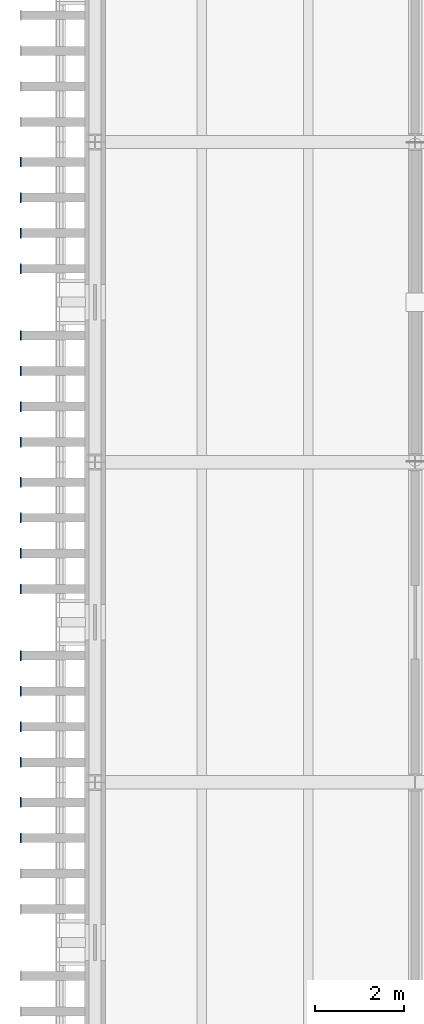
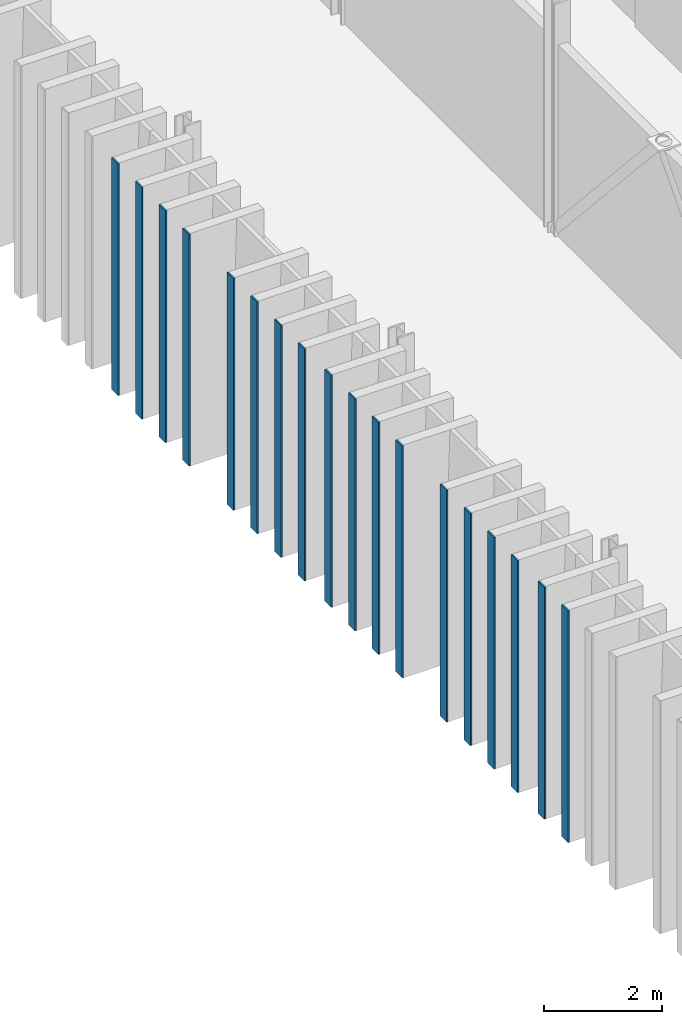
# One storey, part 57 of 121: 18 plates.
"""IFC4 building model written with IfcOpenShell, lengths in metres."""

from ifc_helpers import new_model, si_unit, direction, frame, origin, origin_2d, place, context, subcontext, project, spatial, rectangle, extrude, material, layer, layer_set, type_object, element, save


model = new_model("IFC4")

# Units and contexts
model_context = context("Model", 3, precision=1e-05, world=origin(), true_north=direction((0.0, 1.0)))
body_context = subcontext(model_context, "Body", "Model", "MODEL_VIEW")
ifc_project = project(units=[si_unit("LENGTHUNIT", "METRE"), si_unit("AREAUNIT", "SQUARE_METRE"), si_unit("VOLUMEUNIT", "CUBIC_METRE"), si_unit("PLANEANGLEUNIT", "RADIAN"), si_unit("MASSUNIT", "GRAM", prefix="KILO")], contexts=[model_context])

# Site, building, storey
site_placement = place(None, origin())
site = spatial("IfcSite", under=ifc_project, at=site_placement, CompositionType="ELEMENT")
building_placement = place(site_placement, origin())
building = spatial("IfcBuilding", under=site, at=building_placement, Name="Narikvali Park Central Library", CompositionType="ELEMENT")
storey_placement = place(building_placement, frame((0.0, 0.0, 5.39990234375)))
storey = spatial("IfcBuildingStorey", under=building, at=storey_placement, Name="L01", CompositionType="ELEMENT", Elevation=5.39990234375)

# Plates
ifc_material = material(Name="Anodised Bronze Aluminium", Category="aluminium")
ifc_layer = layer(ifc_material, 0.028076171875, Name="Anodised Bronze Aluminium")
ifc_layer_set = layer_set([ifc_layer], Name="Anodised Bronze Aluminium")
plate_type = type_object("IfcPlateType", Name="Vertical Brick Fin Bronze Bullnose Cap 28", PredefinedType="SHEET", material=ifc_layer_set)
for number, where, z_axis, x_axis, name in (
    (1, (-1.672119140625, 63.550048828125, 0.01025390625), (0.0, 0.0, 1.0), (1.0, 0.0, 0.0), "West Stacks Fin Bullnose Trim 206"),
    (2, (-1.672119140625, 64.35009765625, 0.01025390625), (0.0, 0.0, 1.0), (1.0, 0.0, 0.0), "West Stacks Fin Bullnose Trim 212"),
    (3, (-1.672119140625, 65.25, 0.01025390625), (0.0, 0.0, 1.0), (1.0, 0.0, 0.0), "West Stacks Fin Bullnose Trim 218"),
    (4, (-1.672119140625, 66.050048828125, 0.01025390625), (0.0, 0.0, 1.0), (1.0, 0.0, 0.0), "West Stacks Fin Bullnose Trim 224"),
    (5, (-1.672119140625, 66.85009765625, 0.01025390625), (0.0, 0.0, 1.0), (1.0, 0.0, 0.0), "West Stacks Fin Bullnose Trim 230"),
    (6, (-1.672119140625, 67.64990234375, 0.01025390625), (0.0, 0.0, 1.0), (1.0, 0.0, 0.0), "West Stacks Fin Bullnose Trim 236"),
    (7, (-1.672119140625, 69.14990234375, 0.01025390625), (0.0, 0.0, 1.0), (1.0, 0.0, 0.0), "West Stacks Fin Bullnose Trim 242"),
    (8, (-1.672119140625, 69.949951171875, 0.01025390625), (0.0, 0.0, 1.0), (1.0, 0.0, 0.0), "West Stacks Fin Bullnose Trim 248"),
    (9, (-1.672119140625, 70.75, 0.01025390625), (0.0, 0.0, 1.0), (1.0, 0.0, 0.0), "West Stacks Fin Bullnose Trim 254"),
    (10, (-1.672119140625, 71.550048828125, 0.01025390625), (0.0, 0.0, 1.0), (1.0, 0.0, 0.0), "West Stacks Fin Bullnose Trim 260"),
    (11, (-1.672119140625, 72.449951171875, 0.01025390625), (0.0, 0.0, 1.0), (1.0, 0.0, 0.0), "West Stacks Fin Bullnose Trim 266"),
    (12, (-1.672119140625, 73.25, 0.01025390625), (0.0, 0.0, 1.0), (1.0, 0.0, 0.0), "West Stacks Fin Bullnose Trim 272"),
    (13, (-1.672119140625, 74.050048828125, 0.01025390625), (0.0, 0.0, 1.0), (1.0, 0.0, 0.0), "West Stacks Fin Bullnose Trim 278"),
    (14, (-1.672119140625, 74.85009765625, 0.01025390625), (0.0, 0.0, 1.0), (1.0, 0.0, 0.0), "West Stacks Fin Bullnose Trim 284"),
    (15, (-1.672119140625, 76.35009765625, 0.01025390625), (0.0, 0.0, 1.0), (1.0, 0.0, 0.0), "West Stacks Fin Bullnose Trim 290"),
    (16, (-1.672119140625, 77.14990234375, 0.01025390625), (0.0, 0.0, 1.0), (1.0, 0.0, 0.0), "West Stacks Fin Bullnose Trim 296"),
    (17, (-1.672119140625, 77.949951171875, 0.01025390625), (0.0, 0.0, 1.0), (1.0, 0.0, 0.0), "West Stacks Fin Bullnose Trim 302"),
    (18, (-1.672119140625, 78.75, 0.01025390625), (0.0, 0.0, 1.0), (1.0, 0.0, 0.0), "West Stacks Fin Bullnose Trim 308"),
):
    element("IfcPlate", number, at=place(storey_placement, frame(where, z_axis=z_axis, x_axis=x_axis)), inside=storey, type_object=plate_type, Name=name, PredefinedType="SHEET", context=body_context, shape_type="SweptSolid", body=[
        extrude(rectangle(XDim=0.028076171875, YDim=0.219970703125, at=origin_2d()), origin(), (0.0, 0.0, 1.0), 4.780029296875),
    ])

save(model, "model.ifc")
